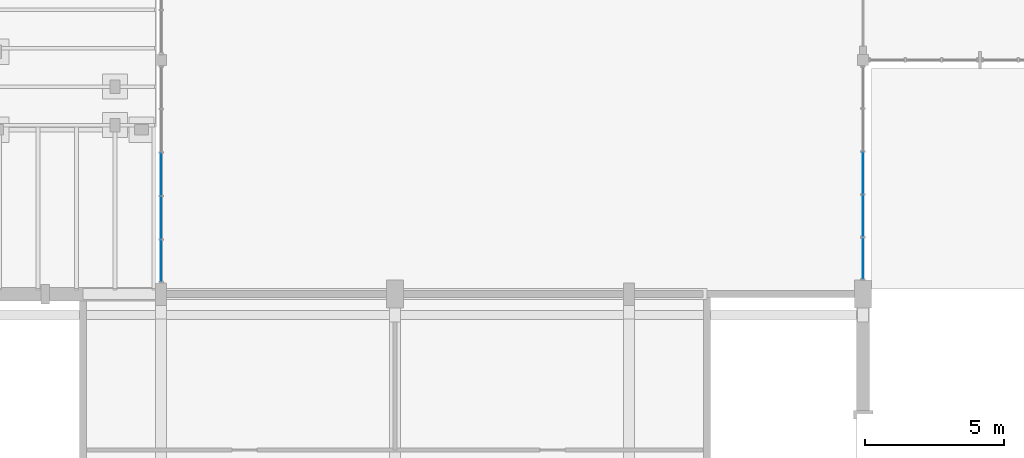
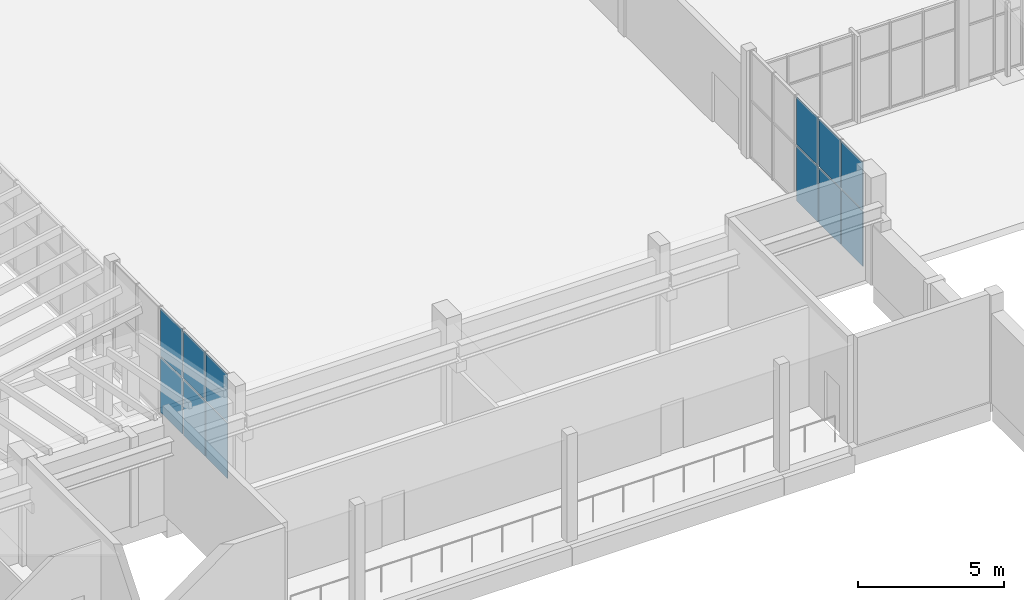
# One storey, part 27 of 60: 12 plates, 2 elements without a shape of their own.
"""IFC4 building model written with IfcOpenShell, lengths in metres."""

from ifc_helpers import new_model, si_unit, direction, frame, origin, origin_2d, place, context, subcontext, project, spatial, rectangle, extrude, material, layer, layer_set, type_object, element, aggregate, save


model = new_model("IFC4")

# Units and contexts
model_context = context("Model", 3, precision=1e-05, world=origin(), true_north=direction((0.0, 1.0)))
body_context = subcontext(model_context, "Body", "Model", "MODEL_VIEW")
ifc_project = project(units=[si_unit("LENGTHUNIT", "METRE"), si_unit("AREAUNIT", "SQUARE_METRE"), si_unit("VOLUMEUNIT", "CUBIC_METRE"), si_unit("PLANEANGLEUNIT", "RADIAN"), si_unit("MASSUNIT", "GRAM", prefix="KILO")], contexts=[model_context])

# Site, building, storey
site_placement = place(None, origin())
site = spatial("IfcSite", under=ifc_project, at=site_placement, CompositionType="ELEMENT")
building_placement = place(site_placement, origin())
building = spatial("IfcBuilding", under=site, at=building_placement, Name="Fescue Hill Polytechnic", CompositionType="ELEMENT")
storey_placement = place(building_placement, frame((0.0, 0.0, 4.5)))
storey = spatial("IfcBuildingStorey", under=building, at=storey_placement, Name="L01", CompositionType="ELEMENT", Elevation=4.5)

# Curtain wall, plates
ifc_material = material(Name="Glass", Category="glass")
curtain_wall_type = type_object("IfcCurtainWallType", Name="Curtain wall structural glazing", PredefinedType="NOTDEFINED", material=ifc_material)
curtain_wall_1_placement = place(storey_placement, origin())
curtain_wall_1 = element("IfcCurtainWall", 1, at=curtain_wall_1_placement, inside=storey, type_object=curtain_wall_type, Name="CW-L01-V6-1", PredefinedType="NOTDEFINED")
ifc_layer = layer(ifc_material, 0.028076171875)
ifc_layer_set = layer_set([ifc_layer], Name="Glass")
plate_type = type_object("IfcPlateType", Name="Panel glazing 28", PredefinedType="CURTAIN_PANEL", material=ifc_layer_set)
plate_1_placement = place(storey_placement, frame((117.60009765625, 51.68505859375, 0.06005859375), z_axis=(0.0, 0.0, 1.0), x_axis=(0.0, 1.0, 0.0)))
plate_1 = element("IfcPlate", 2, at=plate_1_placement, type_object=plate_type, Name="CW47 panel 1.1", PredefinedType="CURTAIN_PANEL", context=body_context, shape_type="SweptSolid", body=[
    extrude(rectangle(XDim=1.449951171875, YDim=0.028076171875, at=origin_2d()), origin(), (0.0, 0.0, 1.0), 2.31005859375),
])
plate_2_placement = place(storey_placement, frame((117.60009765625, 51.68505859375, 2.43017578125), z_axis=(0.0, 0.0, 1.0), x_axis=(0.0, 1.0, 0.0)))
plate_2 = element("IfcPlate", 3, at=plate_2_placement, type_object=plate_type, Name="CW47 panel 1.2", PredefinedType="CURTAIN_PANEL", context=body_context, shape_type="SweptSolid", body=[
    extrude(rectangle(XDim=1.449951171875, YDim=0.028076171875, at=origin_2d()), origin(), (0.0, 0.0, 1.0), 1.989990234375),
])
plate_3_placement = place(storey_placement, frame((117.60009765625, 53.2099609375, 0.06005859375), z_axis=(0.0, 0.0, 1.0), x_axis=(0.0, 1.0, 0.0)))
plate_3 = element("IfcPlate", 4, at=plate_3_placement, type_object=plate_type, Name="CW47 panel 2.1", PredefinedType="CURTAIN_PANEL", context=body_context, shape_type="SweptSolid", body=[
    extrude(rectangle(XDim=1.47998046875, YDim=0.028076171875, at=origin_2d()), origin(), (0.0, 0.0, 1.0), 2.31005859375),
])
plate_4_placement = place(storey_placement, frame((117.60009765625, 53.2099609375, 2.43017578125), z_axis=(0.0, 0.0, 1.0), x_axis=(0.0, 1.0, 0.0)))
plate_4 = element("IfcPlate", 5, at=plate_4_placement, type_object=plate_type, Name="CW47 panel 2.2", PredefinedType="CURTAIN_PANEL", context=body_context, shape_type="SweptSolid", body=[
    extrude(rectangle(XDim=1.47998046875, YDim=0.028076171875, at=origin_2d()), origin(), (0.0, 0.0, 1.0), 1.989990234375),
])
plate_5_placement = place(storey_placement, frame((117.60009765625, 54.75, 0.06005859375), z_axis=(0.0, 0.0, 1.0), x_axis=(0.0, 1.0, 0.0)))
plate_5 = element("IfcPlate", 6, at=plate_5_placement, type_object=plate_type, Name="CW47 panel 3.1", PredefinedType="CURTAIN_PANEL", context=body_context, shape_type="SweptSolid", body=[
    extrude(rectangle(XDim=1.47998046875, YDim=0.028076171875, at=origin_2d()), origin(), (0.0, 0.0, 1.0), 2.31005859375),
])
plate_6_placement = place(storey_placement, frame((117.60009765625, 54.75, 2.43017578125), z_axis=(0.0, 0.0, 1.0), x_axis=(0.0, 1.0, 0.0)))
plate_6 = element("IfcPlate", 7, at=plate_6_placement, type_object=plate_type, Name="CW47 panel 3.2", PredefinedType="CURTAIN_PANEL", context=body_context, shape_type="SweptSolid", body=[
    extrude(rectangle(XDim=1.47998046875, YDim=0.028076171875, at=origin_2d()), origin(), (0.0, 0.0, 1.0), 1.989990234375),
])
aggregate(curtain_wall_1, [plate_1, plate_2, plate_3, plate_4, plate_5, plate_6])

curtain_wall_2_placement = place(storey_placement, origin())
curtain_wall_2 = element("IfcCurtainWall", 8, at=curtain_wall_2_placement, inside=storey, type_object=curtain_wall_type, Name="CW-L01-V6-7", PredefinedType="NOTDEFINED")
plate_7_placement = place(storey_placement, frame((92.39990234375, 54.699951171875, 0.06005859375), z_axis=(0.0, 0.0, 1.0), x_axis=(0.0, -1.0, 0.0)))
plate_7 = element("IfcPlate", 9, at=plate_7_placement, type_object=plate_type, Name="CW53 panel 3.1", PredefinedType="CURTAIN_PANEL", context=body_context, shape_type="SweptSolid", body=[
    extrude(rectangle(XDim=1.5, YDim=0.028076171875, at=origin_2d()), origin(), (0.0, 0.0, 1.0), 2.31005859375),
])
plate_8_placement = place(storey_placement, frame((92.39990234375, 54.699951171875, 2.43017578125), z_axis=(0.0, 0.0, 1.0), x_axis=(0.0, -1.0, 0.0)))
plate_8 = element("IfcPlate", 10, at=plate_8_placement, type_object=plate_type, Name="CW53 panel 3.2", PredefinedType="CURTAIN_PANEL", context=body_context, shape_type="SweptSolid", body=[
    extrude(rectangle(XDim=1.5, YDim=0.028076171875, at=origin_2d()), origin(), (0.0, 0.0, 1.0), 1.989990234375),
])
plate_9_placement = place(storey_placement, frame((92.39990234375, 53.139892578125, 0.06005859375), z_axis=(0.0, 0.0, 1.0), x_axis=(0.0, -1.0, 0.0)))
plate_9 = element("IfcPlate", 11, at=plate_9_placement, type_object=plate_type, Name="CW53 panel 4.1", PredefinedType="CURTAIN_PANEL", context=body_context, shape_type="SweptSolid", body=[
    extrude(rectangle(XDim=1.5, YDim=0.028076171875, at=origin_2d()), origin(), (0.0, 0.0, 1.0), 2.31005859375),
])
plate_10_placement = place(storey_placement, frame((92.39990234375, 53.139892578125, 2.43017578125), z_axis=(0.0, 0.0, 1.0), x_axis=(0.0, -1.0, 0.0)))
plate_10 = element("IfcPlate", 12, at=plate_10_placement, type_object=plate_type, Name="CW53 panel 4.2", PredefinedType="CURTAIN_PANEL", context=body_context, shape_type="SweptSolid", body=[
    extrude(rectangle(XDim=1.5, YDim=0.028076171875, at=origin_2d()), origin(), (0.0, 0.0, 1.0), 1.989990234375),
])
plate_11_placement = place(storey_placement, frame((92.39990234375, 51.594970703125, 0.06005859375), z_axis=(0.0, 0.0, 1.0), x_axis=(0.0, -1.0, 0.0)))
plate_11 = element("IfcPlate", 13, at=plate_11_placement, type_object=plate_type, Name="CW53 panel 5.1", PredefinedType="CURTAIN_PANEL", context=body_context, shape_type="SweptSolid", body=[
    extrude(rectangle(XDim=1.469970703125, YDim=0.028076171875, at=origin_2d()), origin(), (0.0, 0.0, 1.0), 2.31005859375),
])
plate_12_placement = place(storey_placement, frame((92.39990234375, 51.594970703125, 2.43017578125), z_axis=(0.0, 0.0, 1.0), x_axis=(0.0, -1.0, 0.0)))
plate_12 = element("IfcPlate", 14, at=plate_12_placement, type_object=plate_type, Name="CW53 panel 5.2", PredefinedType="CURTAIN_PANEL", context=body_context, shape_type="SweptSolid", body=[
    extrude(rectangle(XDim=1.469970703125, YDim=0.028076171875, at=origin_2d()), origin(), (0.0, 0.0, 1.0), 1.989990234375),
])
aggregate(curtain_wall_2, [plate_7, plate_8, plate_9, plate_10, plate_11, plate_12])

save(model, "model.ifc")
